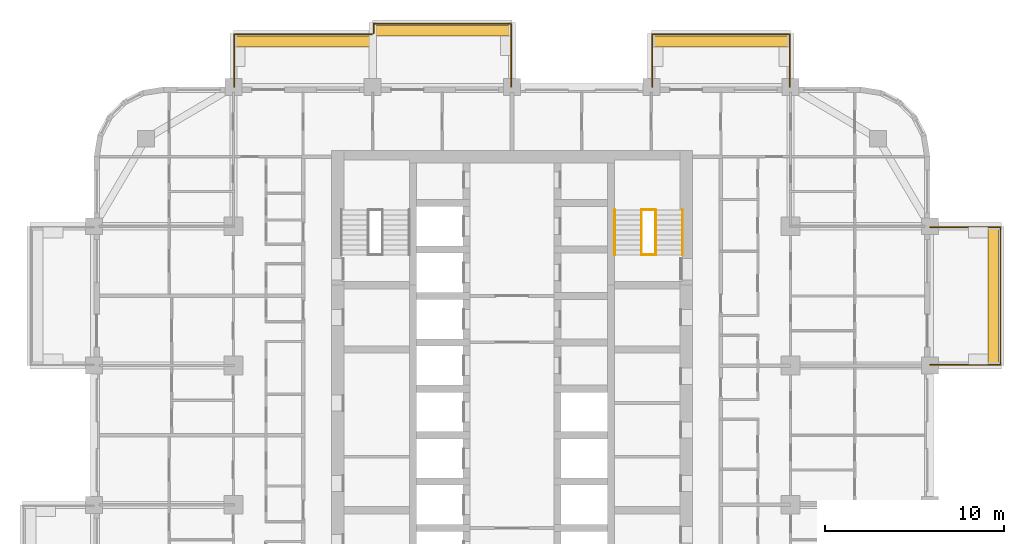
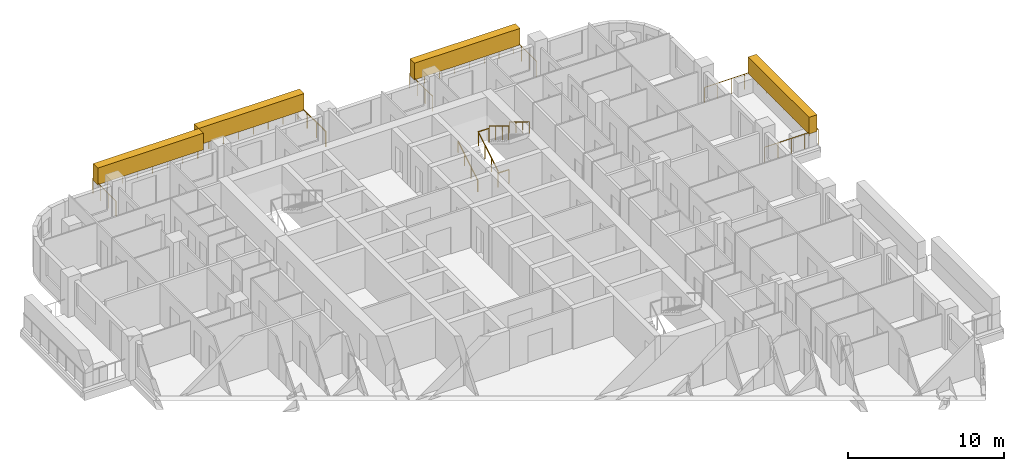
# One storey, part 18 of 18: 10 railings, 4 coverings, 1 element without a shape of its own.
"""IFC4 building model written with IfcOpenShell, lengths in metres."""

from ifc_helpers import new_model, si_unit, direction, frame, origin, origin_2d, place, context, subcontext, project, spatial, rectangle, circle, extrude, material, layer, layer_set, type_object, element, aggregate, save


model = new_model("IFC4")

# Units and contexts
model_context = context("Model", 3, precision=1e-05, world=origin(), true_north=direction((0.0, 1.0)))
body_context = subcontext(model_context, "Body", "Model", "MODEL_VIEW")
ifc_project = project(units=[si_unit("LENGTHUNIT", "METRE"), si_unit("AREAUNIT", "SQUARE_METRE"), si_unit("VOLUMEUNIT", "CUBIC_METRE"), si_unit("PLANEANGLEUNIT", "RADIAN"), si_unit("MASSUNIT", "GRAM", prefix="KILO")], contexts=[model_context])

# Site, building, storey
site_placement = place(None, origin())
site = spatial("IfcSite", under=ifc_project, at=site_placement, CompositionType="ELEMENT")
building_placement = place(site_placement, origin())
building = spatial("IfcBuilding", under=site, at=building_placement, Name="Ludao Terraces", CompositionType="ELEMENT")
storey_placement = place(building_placement, frame((0.0, 0.0, 61.39990234375)))
storey = spatial("IfcBuildingStorey", under=building, at=storey_placement, Name="L16", CompositionType="ELEMENT", Elevation=61.39990234375)

# Railings
ifc_material_1 = material(Name="Stainless steel 304", Category="steel")
railing_type_1 = type_object("IfcRailingType", Name="ENV Balcony glass guard 1200", PredefinedType="GUARDRAIL", material=ifc_material_1)
railing_1_placement = place(storey_placement, frame((108.39990234375, 72.85009765625, 0.0)))
element("IfcRailing", 1, at=railing_1_placement, inside=storey, type_object=railing_type_1, Name="Balcony guard L16 E4", PredefinedType="GUARDRAIL", context=body_context, shape_type="SweptSolid", body=[
    extrude(circle(Radius=0.02392578125, at=origin_2d()), frame((0.0, 0.0, 1.17578125), z_axis=(1.0, 0.0, 0.0), x_axis=(0.0, 1.0, 0.0)), (0.0, 0.0, 1.0), 3.9501953125),
    extrude(circle(Radius=0.02392578125, at=origin_2d()), frame((3.9501953125, 0.0, 1.17578125), z_axis=(0.0, 1.0, 0.0), x_axis=(-1.0, 0.0, 0.0)), (0.0, 0.0, 1.0), 7.699951171875),
    extrude(circle(Radius=0.02392578125, at=origin_2d()), frame((3.9501953125, 7.699951171875, 1.17578125), z_axis=(-1.0, 0.0, 0.0), x_axis=(0.0, -1.0, 0.0)), (0.0, 0.0, 1.0), 3.9501953125),
    extrude(circle(Radius=0.02099609375, at=origin_2d()), origin(), (0.0, 0.0, 1.0), 1.15185546875),
    extrude(circle(Radius=0.02099609375, at=origin_2d()), frame((0.987548828125, 0.0, 0.0)), (0.0, 0.0, 1.0), 1.15185546875),
    extrude(circle(Radius=0.02099609375, at=origin_2d()), frame((1.97509765625, 0.0, 0.0)), (0.0, 0.0, 1.0), 1.15185546875),
    extrude(circle(Radius=0.02099609375, at=origin_2d()), frame((2.962646484375, 0.0, 0.0)), (0.0, 0.0, 1.0), 1.15185546875),
    extrude(circle(Radius=0.02099609375, at=origin_2d()), frame((3.9501953125, 0.0, 0.0)), (0.0, 0.0, 1.0), 1.15185546875),
    extrude(circle(Radius=0.02099609375, at=origin_2d()), frame((3.9501953125, 1.10009765625, 0.0)), (0.0, 0.0, 1.0), 1.15185546875),
    extrude(circle(Radius=0.02099609375, at=origin_2d()), frame((3.9501953125, 2.199951171875, 0.0)), (0.0, 0.0, 1.0), 1.15185546875),
    extrude(circle(Radius=0.02099609375, at=origin_2d()), frame((3.9501953125, 3.300048828125, 0.0)), (0.0, 0.0, 1.0), 1.15185546875),
    extrude(circle(Radius=0.02099609375, at=origin_2d()), frame((3.9501953125, 4.39990234375, 0.0)), (0.0, 0.0, 1.0), 1.15185546875),
    extrude(circle(Radius=0.02099609375, at=origin_2d()), frame((3.9501953125, 5.5, 0.0)), (0.0, 0.0, 1.0), 1.15185546875),
    extrude(circle(Radius=0.02099609375, at=origin_2d()), frame((3.9501953125, 6.599853515625, 0.0)), (0.0, 0.0, 1.0), 1.15185546875),
    extrude(circle(Radius=0.02099609375, at=origin_2d()), frame((3.9501953125, 7.699951171875, 0.0)), (0.0, 0.0, 1.0), 1.15185546875),
    extrude(circle(Radius=0.02099609375, at=origin_2d()), frame((2.962646484375, 7.699951171875, 0.0)), (0.0, 0.0, 1.0), 1.15185546875),
    extrude(circle(Radius=0.02099609375, at=origin_2d()), frame((1.97509765625, 7.699951171875, 0.0)), (0.0, 0.0, 1.0), 1.15185546875),
    extrude(circle(Radius=0.02099609375, at=origin_2d()), frame((0.987548828125, 7.699951171875, 0.0)), (0.0, 0.0, 1.0), 1.15185546875),
    extrude(circle(Radius=0.02099609375, at=origin_2d()), frame((0.0, 7.699951171875, 0.0)), (0.0, 0.0, 1.0), 1.15185546875),
])
railing_2_placement = place(storey_placement, frame((69.449951171875, 88.39990234375, 0.0)))
element("IfcRailing", 2, at=railing_2_placement, inside=storey, type_object=railing_type_1, Name="Balcony guard L16 N1", PredefinedType="GUARDRAIL", context=body_context, shape_type="SweptSolid", body=[
    extrude(circle(Radius=0.02392578125, at=origin_2d()), frame((0.0, 0.0, 1.17578125), z_axis=(0.0, 1.0, 0.0), x_axis=(-1.0, 0.0, 0.0)), (0.0, 0.0, 1.0), 2.9501953125),
    extrude(circle(Radius=0.02392578125, at=origin_2d()), frame((0.0, 2.9501953125, 1.17578125), z_axis=(1.0, 0.0, 0.0), x_axis=(0.0, 1.0, 0.0)), (0.0, 0.0, 1.0), 7.699951171875),
    extrude(circle(Radius=0.02099609375, at=origin_2d()), origin(), (0.0, 0.0, 1.0), 1.15185546875),
    extrude(circle(Radius=0.02099609375, at=origin_2d()), frame((0.0, 0.9833984375, 0.0)), (0.0, 0.0, 1.0), 1.15185546875),
    extrude(circle(Radius=0.02099609375, at=origin_2d()), frame((0.0, 1.966796875, 0.0)), (0.0, 0.0, 1.0), 1.15185546875),
    extrude(circle(Radius=0.02099609375, at=origin_2d()), frame((0.0, 2.9501953125, 0.0)), (0.0, 0.0, 1.0), 1.15185546875),
    extrude(circle(Radius=0.02099609375, at=origin_2d()), frame((1.10009765625, 2.9501953125, 0.0)), (0.0, 0.0, 1.0), 1.15185546875),
    extrude(circle(Radius=0.02099609375, at=origin_2d()), frame((2.199951171875, 2.9501953125, 0.0)), (0.0, 0.0, 1.0), 1.15185546875),
    extrude(circle(Radius=0.02099609375, at=origin_2d()), frame((3.300048828125, 2.9501953125, 0.0)), (0.0, 0.0, 1.0), 1.15185546875),
    extrude(circle(Radius=0.02099609375, at=origin_2d()), frame((4.39990234375, 2.9501953125, 0.0)), (0.0, 0.0, 1.0), 1.15185546875),
    extrude(circle(Radius=0.02099609375, at=origin_2d()), frame((5.5, 2.9501953125, 0.0)), (0.0, 0.0, 1.0), 1.15185546875),
    extrude(circle(Radius=0.02099609375, at=origin_2d()), frame((6.599853515625, 2.9501953125, 0.0)), (0.0, 0.0, 1.0), 1.15185546875),
    extrude(circle(Radius=0.02099609375, at=origin_2d()), frame((7.699951171875, 2.9501953125, 0.0)), (0.0, 0.0, 1.0), 1.15185546875),
])
railing_3_placement = place(storey_placement, frame((77.25, 91.39990234375, 0.0)))
element("IfcRailing", 3, at=railing_3_placement, inside=storey, type_object=railing_type_1, Name="Balcony guard L16 N2", PredefinedType="GUARDRAIL", context=body_context, shape_type="SweptSolid", body=[
    extrude(circle(Radius=0.02392578125, at=origin_2d()), frame((0.0, 0.0, 1.17578125), z_axis=(0.0, 1.0, 0.0), x_axis=(-1.0, 0.0, 0.0)), (0.0, 0.0, 1.0), 0.550048828125),
    extrude(circle(Radius=0.02392578125, at=origin_2d()), frame((0.0, 0.550048828125, 1.17578125), z_axis=(1.0, 0.0, 0.0), x_axis=(0.0, 1.0, 0.0)), (0.0, 0.0, 1.0), 7.699951171875),
    extrude(circle(Radius=0.02392578125, at=origin_2d()), frame((7.699951171875, 0.550048828125, 1.17578125), z_axis=(0.0, -1.0, 0.0), x_axis=(1.0, 0.0, 0.0)), (0.0, 0.0, 1.0), 3.550048828125),
    extrude(circle(Radius=0.02099609375, at=origin_2d()), origin(), (0.0, 0.0, 1.0), 1.15185546875),
    extrude(circle(Radius=0.02099609375, at=origin_2d()), frame((0.0, 0.550048828125, 0.0)), (0.0, 0.0, 1.0), 1.15185546875),
    extrude(circle(Radius=0.02099609375, at=origin_2d()), frame((1.10009765625, 0.550048828125, 0.0)), (0.0, 0.0, 1.0), 1.15185546875),
    extrude(circle(Radius=0.02099609375, at=origin_2d()), frame((2.199951171875, 0.550048828125, 0.0)), (0.0, 0.0, 1.0), 1.15185546875),
    extrude(circle(Radius=0.02099609375, at=origin_2d()), frame((3.300048828125, 0.550048828125, 0.0)), (0.0, 0.0, 1.0), 1.15185546875),
    extrude(circle(Radius=0.02099609375, at=origin_2d()), frame((4.39990234375, 0.550048828125, 0.0)), (0.0, 0.0, 1.0), 1.15185546875),
    extrude(circle(Radius=0.02099609375, at=origin_2d()), frame((5.5, 0.550048828125, 0.0)), (0.0, 0.0, 1.0), 1.15185546875),
    extrude(circle(Radius=0.02099609375, at=origin_2d()), frame((6.599853515625, 0.550048828125, 0.0)), (0.0, 0.0, 1.0), 1.15185546875),
    extrude(circle(Radius=0.02099609375, at=origin_2d()), frame((7.699951171875, 0.550048828125, 0.0)), (0.0, 0.0, 1.0), 1.15185546875),
    extrude(circle(Radius=0.02099609375, at=origin_2d()), frame((7.699951171875, -0.63330078125, 0.0)), (0.0, 0.0, 1.0), 1.15185546875),
    extrude(circle(Radius=0.02099609375, at=origin_2d()), frame((7.699951171875, -1.816650390625, 0.0)), (0.0, 0.0, 1.0), 1.15185546875),
    extrude(circle(Radius=0.02099609375, at=origin_2d()), frame((7.699951171875, -3.0, 0.0)), (0.0, 0.0, 1.0), 1.15185546875),
])
railing_4_placement = place(storey_placement, frame((92.85009765625, 88.39990234375, 0.0)))
element("IfcRailing", 4, at=railing_4_placement, inside=storey, type_object=railing_type_1, Name="Balcony guard L16 N4", PredefinedType="GUARDRAIL", context=body_context, shape_type="SweptSolid", body=[
    extrude(circle(Radius=0.02392578125, at=origin_2d()), frame((0.0, 0.0, 1.17578125), z_axis=(0.0, 1.0, 0.0), x_axis=(-1.0, 0.0, 0.0)), (0.0, 0.0, 1.0), 2.9501953125),
    extrude(circle(Radius=0.02392578125, at=origin_2d()), frame((0.0, 2.9501953125, 1.17578125), z_axis=(1.0, 0.0, 0.0), x_axis=(0.0, 1.0, 0.0)), (0.0, 0.0, 1.0), 7.699951171875),
    extrude(circle(Radius=0.02392578125, at=origin_2d()), frame((7.699951171875, 2.9501953125, 1.17578125), z_axis=(0.0, -1.0, 0.0), x_axis=(1.0, 0.0, 0.0)), (0.0, 0.0, 1.0), 2.9501953125),
    extrude(circle(Radius=0.02099609375, at=origin_2d()), origin(), (0.0, 0.0, 1.0), 1.15185546875),
    extrude(circle(Radius=0.02099609375, at=origin_2d()), frame((0.0, 0.9833984375, 0.0)), (0.0, 0.0, 1.0), 1.15185546875),
    extrude(circle(Radius=0.02099609375, at=origin_2d()), frame((0.0, 1.966796875, 0.0)), (0.0, 0.0, 1.0), 1.15185546875),
    extrude(circle(Radius=0.02099609375, at=origin_2d()), frame((0.0, 2.9501953125, 0.0)), (0.0, 0.0, 1.0), 1.15185546875),
    extrude(circle(Radius=0.02099609375, at=origin_2d()), frame((1.10009765625, 2.9501953125, 0.0)), (0.0, 0.0, 1.0), 1.15185546875),
    extrude(circle(Radius=0.02099609375, at=origin_2d()), frame((2.199951171875, 2.9501953125, 0.0)), (0.0, 0.0, 1.0), 1.15185546875),
    extrude(circle(Radius=0.02099609375, at=origin_2d()), frame((3.300048828125, 2.9501953125, 0.0)), (0.0, 0.0, 1.0), 1.15185546875),
    extrude(circle(Radius=0.02099609375, at=origin_2d()), frame((4.39990234375, 2.9501953125, 0.0)), (0.0, 0.0, 1.0), 1.15185546875),
    extrude(circle(Radius=0.02099609375, at=origin_2d()), frame((5.5, 2.9501953125, 0.0)), (0.0, 0.0, 1.0), 1.15185546875),
    extrude(circle(Radius=0.02099609375, at=origin_2d()), frame((6.599853515625, 2.9501953125, 0.0)), (0.0, 0.0, 1.0), 1.15185546875),
    extrude(circle(Radius=0.02099609375, at=origin_2d()), frame((7.699951171875, 2.9501953125, 0.0)), (0.0, 0.0, 1.0), 1.15185546875),
    extrude(circle(Radius=0.02099609375, at=origin_2d()), frame((7.699951171875, 1.966796875, 0.0)), (0.0, 0.0, 1.0), 1.15185546875),
    extrude(circle(Radius=0.02099609375, at=origin_2d()), frame((7.699951171875, 0.9833984375, 0.0)), (0.0, 0.0, 1.0), 1.15185546875),
    extrude(circle(Radius=0.02099609375, at=origin_2d()), frame((7.699951171875, 0.0, 0.0)), (0.0, 0.0, 1.0), 1.15185546875),
])

# Coverings
ifc_material_2 = material(Name="Planting")
ifc_layer = layer(ifc_material_2, 0.60009765625)
ifc_layer_set = layer_set([ifc_layer], Name="ENV Planting hedge 600x1300")
covering_type = type_object("IfcCoveringType", Name="ENV Planting hedge 600x1300", PredefinedType="USERDEFINED", material=ifc_layer_set)
covering_placement = place(storey_placement, frame((111.949951171875, 76.699951171875, 1.10009765625), z_axis=(0.0, 0.0, 1.0), x_axis=(1.0, 0.0, 0.0)))
element("IfcCovering", 5, at=covering_placement, inside=storey, type_object=covering_type, Name="Planting hedge L16-E4", ObjectType="PLANTING", PredefinedType="USERDEFINED", context=body_context, shape_type="SweptSolid", body=[
    extrude(rectangle(XDim=0.60009765625, YDim=7.800048828125, at=origin_2d()), origin(), (0.0, 0.0, 1.0), 1.300048828125),
])
for number, where, z_axis, x_axis, name in (
    (6, (73.300048828125, 90.949951171875, 1.10009765625), (0.0, 0.0, 1.0), (1.0, 0.0, 0.0), "Planting hedge L16-N1"),
    (7, (81.10009765625, 91.550048828125, 1.10009765625), (0.0, 0.0, 1.0), (1.0, 0.0, 0.0), "Planting hedge L16-N2"),
    (8, (96.699951171875, 90.949951171875, 1.10009765625), (0.0, 0.0, 1.0), (1.0, 0.0, 0.0), "Planting hedge L16-N4"),
):
    element("IfcCovering", number, at=place(storey_placement, frame(where, z_axis=z_axis, x_axis=x_axis)), inside=storey, type_object=covering_type, Name=name, ObjectType="PLANTING", PredefinedType="USERDEFINED", context=body_context, shape_type="SweptSolid", body=[
        extrude(rectangle(XDim=7.800048828125, YDim=0.60009765625, at=origin_2d()), origin(), (0.0, 0.0, 1.0), 1.300048828125),
    ])

# Stair, railings
ifc_material_3 = material(Name="Concrete C40", Category="concrete")
stair_type = type_object("IfcStairType", Name="INT Stair", PredefinedType="HALF_TURN_STAIR", material=ifc_material_3)
stair_placement = place(storey_placement, origin())
stair = element("IfcStair", 9, at=stair_placement, inside=storey, type_object=stair_type, Name="EXIT STAIR 2", PredefinedType="HALF_TURN_STAIR")
railing_type_2 = type_object("IfcRailingType", Name="INT Stair guard 1100", PredefinedType="GUARDRAIL", material=ifc_material_1)
railing_5_placement = place(storey_placement, frame((92.25, 79.0, 0.170166015625)))
railing_5 = element("IfcRailing", 10, at=railing_5_placement, type_object=railing_type_2, Name="ST-L16-S2-R1G", PredefinedType="GUARDRAIL", context=body_context, shape_type="SweptSolid", body=[
    extrude(circle(Radius=0.02392578125, at=origin_2d()), frame((0.0, 0.0, 1.076171875), z_axis=(0.0, 0.85478489116, 0.518982456201), x_axis=(-1.0, 0.0, 0.0)), (0.0, 0.0, 1.0), 2.9482421875),
    extrude(circle(Radius=0.02099609375, at=origin_2d()), origin(), (0.0, 0.0, 1.0), 1.052001953125),
    extrude(circle(Radius=0.02099609375, at=origin_2d()), frame((0.0, 0.840087890625, 0.510009765625)), (0.0, 0.0, 1.0), 1.052001953125),
    extrude(circle(Radius=0.02099609375, at=origin_2d()), frame((0.0, 1.679931640625, 1.02001953125)), (0.0, 0.0, 1.0), 1.052001953125),
    extrude(circle(Radius=0.02099609375, at=origin_2d()), frame((0.0, 2.52001953125, 1.530029296875)), (0.0, 0.0, 1.0), 1.052001953125),
])
railing_6_placement = place(storey_placement, frame((93.050048828125, 81.52001953125, 1.8701171875)))
railing_6 = element("IfcRailing", 11, at=railing_6_placement, type_object=railing_type_2, Name="ST-L16-S2-R2G", PredefinedType="GUARDRAIL", context=body_context, shape_type="SweptSolid", body=[
    extrude(circle(Radius=0.02392578125, at=origin_2d()), frame((0.0, 0.0, 1.076171875), z_axis=(0.0, -0.85478489116, 0.518982456201), x_axis=(1.0, 0.0, 0.0)), (0.0, 0.0, 1.0), 2.9482421875),
    extrude(circle(Radius=0.02099609375, at=origin_2d()), origin(), (0.0, 0.0, 1.0), 1.052001953125),
    extrude(circle(Radius=0.02099609375, at=origin_2d()), frame((0.0, -0.840087890625, 0.510009765625)), (0.0, 0.0, 1.0), 1.052001953125),
    extrude(circle(Radius=0.02099609375, at=origin_2d()), frame((0.0, -1.679931640625, 1.02001953125)), (0.0, 0.0, 1.0), 1.052001953125),
    extrude(circle(Radius=0.02099609375, at=origin_2d()), frame((0.0, -2.52001953125, 1.530029296875)), (0.0, 0.0, 1.0), 1.052001953125),
])
railing_7_placement = place(storey_placement, frame((92.25, 81.52001953125, 1.7001953125)))
railing_7 = element("IfcRailing", 12, at=railing_7_placement, type_object=railing_type_2, Name="ST-L16-S2-E1G", PredefinedType="GUARDRAIL", context=body_context, shape_type="SweptSolid", body=[
    extrude(circle(Radius=0.02392578125, at=origin_2d()), frame((0.0, 0.0, 1.076171875), z_axis=(1.0, 0.0, 0.0), x_axis=(0.0, 1.0, 0.0)), (0.0, 0.0, 1.0), 0.800048828125),
    extrude(circle(Radius=0.02099609375, at=origin_2d()), origin(), (0.0, 0.0, 1.0), 1.052001953125),
    extrude(circle(Radius=0.02099609375, at=origin_2d()), frame((0.800048828125, 0.0, 0.0)), (0.0, 0.0, 1.0), 1.052001953125),
])
railing_8_placement = place(storey_placement, frame((92.25, 79.0, 0.0)))
railing_8 = element("IfcRailing", 13, at=railing_8_placement, type_object=railing_type_2, Name="ST-L16-S2-E2G", PredefinedType="GUARDRAIL", context=body_context, shape_type="SweptSolid", body=[
    extrude(circle(Radius=0.02392578125, at=origin_2d()), frame((0.0, 0.0, 1.076171875), z_axis=(1.0, 0.0, 0.0), x_axis=(0.0, 1.0, 0.0)), (0.0, 0.0, 1.0), 0.800048828125),
    extrude(circle(Radius=0.02099609375, at=origin_2d()), origin(), (0.0, 0.0, 1.0), 1.052001953125),
    extrude(circle(Radius=0.02099609375, at=origin_2d()), frame((0.800048828125, 0.0, 0.0)), (0.0, 0.0, 1.0), 1.052001953125),
])
railing_type_3 = type_object("IfcRailingType", Name="INT Stair handrail 900", PredefinedType="HANDRAIL", material=ifc_material_1)
railing_9_placement = place(storey_placement, frame((90.75, 79.0, 0.170166015625)))
railing_9 = element("IfcRailing", 14, at=railing_9_placement, type_object=railing_type_3, Name="ST-L16-S2-R1H", PredefinedType="HANDRAIL", context=body_context, shape_type="SweptSolid", body=[
    extrude(circle(Radius=0.02392578125, at=origin_2d()), frame((0.0, 0.0, 0.8759765625), z_axis=(0.0, 0.85478489116, 0.518982456201), x_axis=(-1.0, 0.0, 0.0)), (0.0, 0.0, 1.0), 2.9482421875),
    extrude(circle(Radius=0.02099609375, at=origin_2d()), origin(), (0.0, 0.0, 1.0), 0.851806640625),
    extrude(circle(Radius=0.02099609375, at=origin_2d()), frame((0.0, 0.840087890625, 0.510009765625)), (0.0, 0.0, 1.0), 0.851806640625),
    extrude(circle(Radius=0.02099609375, at=origin_2d()), frame((0.0, 1.679931640625, 1.02001953125)), (0.0, 0.0, 1.0), 0.851806640625),
    extrude(circle(Radius=0.02099609375, at=origin_2d()), frame((0.0, 2.52001953125, 1.530029296875)), (0.0, 0.0, 1.0), 0.851806640625),
])
railing_10_placement = place(storey_placement, frame((94.550048828125, 81.52001953125, 1.8701171875)))
railing_10 = element("IfcRailing", 15, at=railing_10_placement, type_object=railing_type_3, Name="ST-L16-S2-R2H", PredefinedType="HANDRAIL", context=body_context, shape_type="SweptSolid", body=[
    extrude(circle(Radius=0.02392578125, at=origin_2d()), frame((0.0, 0.0, 0.8759765625), z_axis=(0.0, -0.85478489116, 0.518982456201), x_axis=(1.0, 0.0, 0.0)), (0.0, 0.0, 1.0), 2.9482421875),
    extrude(circle(Radius=0.02099609375, at=origin_2d()), origin(), (0.0, 0.0, 1.0), 0.851806640625),
    extrude(circle(Radius=0.02099609375, at=origin_2d()), frame((0.0, -0.840087890625, 0.510009765625)), (0.0, 0.0, 1.0), 0.851806640625),
    extrude(circle(Radius=0.02099609375, at=origin_2d()), frame((0.0, -1.679931640625, 1.02001953125)), (0.0, 0.0, 1.0), 0.851806640625),
    extrude(circle(Radius=0.02099609375, at=origin_2d()), frame((0.0, -2.52001953125, 1.530029296875)), (0.0, 0.0, 1.0), 0.851806640625),
])
aggregate(stair, [railing_5, railing_9, railing_6, railing_10, railing_7, railing_8])

save(model, "model.ifc")
